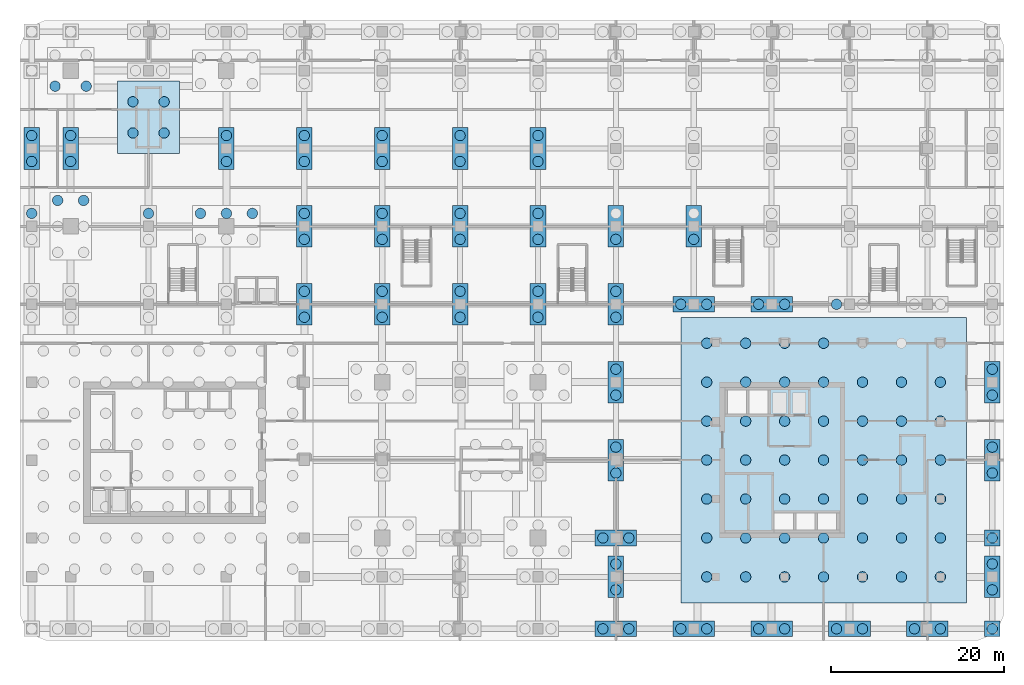
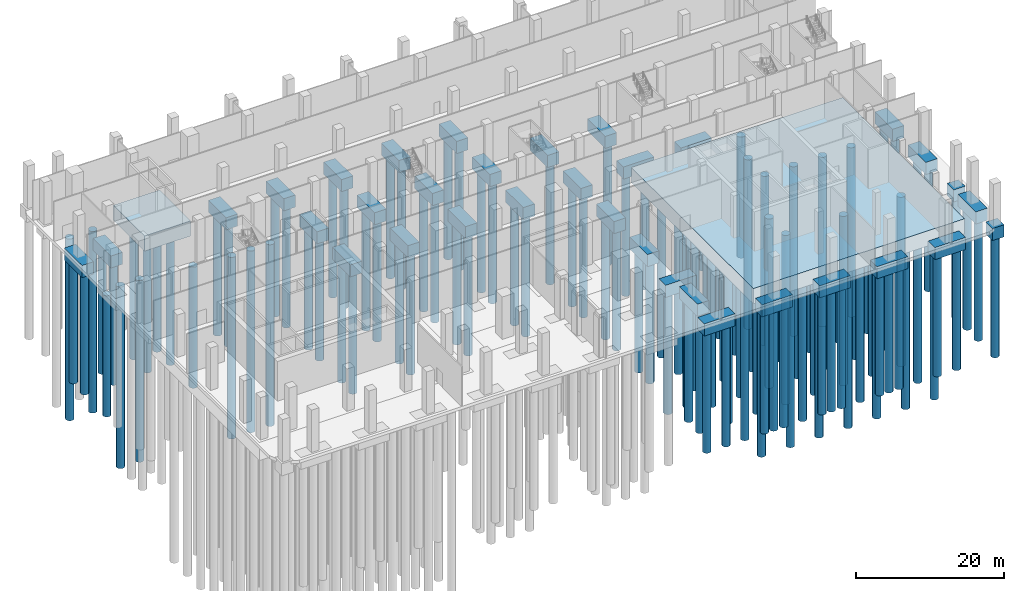
# One storey, part 2 of 23: 124 piles, 36 footings.
"""IFC4 building model written with IfcOpenShell, lengths in metres."""

from ifc_helpers import new_model, si_unit, direction, frame, origin, origin_2d, place, context, subcontext, project, spatial, polyline, circle, outline, extrude, material, layer, layer_set, material_profile, profile_set, type_object, element, save


model = new_model("IFC4")

# Units and contexts
model_context = context("Model", 3, precision=1e-05, world=origin(), true_north=direction((0.0, 1.0)))
body_context = subcontext(model_context, "Body", "Model", "MODEL_VIEW")
ifc_project = project(units=[si_unit("LENGTHUNIT", "METRE"), si_unit("AREAUNIT", "SQUARE_METRE"), si_unit("VOLUMEUNIT", "CUBIC_METRE"), si_unit("PLANEANGLEUNIT", "RADIAN"), si_unit("MASSUNIT", "GRAM", prefix="KILO")], contexts=[model_context])

# Site, building, storey
site_placement = place(None, origin())
site = spatial("IfcSite", under=ifc_project, at=site_placement, CompositionType="ELEMENT")
building_placement = place(site_placement, origin())
building = spatial("IfcBuilding", under=site, at=building_placement, Name="Plateau Cross Towers", CompositionType="ELEMENT")
storey_placement = place(building_placement, frame((0.0, 0.0, -7.0)))
storey = spatial("IfcBuildingStorey", under=building, at=storey_placement, Name="B1", CompositionType="ELEMENT", Elevation=-7.0)

# Piles
ifc_material = material(Name="Concrete C40/50", Category="concrete")
ifc_material_profile = material_profile(ifc_material, circle(Radius=0.60009765625, at=origin_2d()), Name="Bored pile D1200")
ifc_profile_set = profile_set([ifc_material_profile], Name="Concrete C40/50")
pile_type = type_object("IfcPileType", Name="Bored pile D1200", PredefinedType="BORED", material=ifc_profile_set)
for number, where, z_axis, x_axis, name in (
    (1, (73.5, -4.5, -2.300048828125), (0.0, 0.0, -1.0), (1.0, 0.0, 0.0), "RAFT-B pile 1"),
    (2, (73.5, 0.0, -2.300048828125), (0.0, 0.0, -1.0), (1.0, 0.0, 0.0), "RAFT-B pile 2"),
    (3, (73.5, 4.5, -2.300048828125), (0.0, 0.0, -1.0), (1.0, 0.0, 0.0), "RAFT-B pile 3"),
    (4, (73.5, 9.0, -2.300048828125), (0.0, 0.0, -1.0), (1.0, 0.0, 0.0), "RAFT-B pile 4"),
    (5, (73.5, 13.5, -2.300048828125), (0.0, 0.0, -1.0), (1.0, 0.0, 0.0), "RAFT-B pile 5"),
    (6, (73.5, 18.0, -2.300048828125), (0.0, 0.0, -1.0), (1.0, 0.0, 0.0), "RAFT-B pile 6"),
    (7, (73.5, 22.5, -2.300048828125), (0.0, 0.0, -1.0), (1.0, 0.0, 0.0), "RAFT-B pile 7"),
    (8, (78.0, -4.5, -2.300048828125), (0.0, 0.0, -1.0), (1.0, 0.0, 0.0), "RAFT-B pile 8"),
    (9, (78.0, 0.0, -2.300048828125), (0.0, 0.0, -1.0), (1.0, 0.0, 0.0), "RAFT-B pile 9"),
    (10, (78.0, 4.5, -2.300048828125), (0.0, 0.0, -1.0), (1.0, 0.0, 0.0), "RAFT-B pile 10"),
    (11, (78.0, 9.0, -2.300048828125), (0.0, 0.0, -1.0), (1.0, 0.0, 0.0), "RAFT-B pile 11"),
    (12, (78.0, 13.5, -2.300048828125), (0.0, 0.0, -1.0), (1.0, 0.0, 0.0), "RAFT-B pile 12"),
    (13, (78.0, 18.0, -2.300048828125), (0.0, 0.0, -1.0), (1.0, 0.0, 0.0), "RAFT-B pile 13"),
    (14, (78.0, 22.5, -2.300048828125), (0.0, 0.0, -1.0), (1.0, 0.0, 0.0), "RAFT-B pile 14"),
    (15, (82.5, -4.5, -2.300048828125), (0.0, 0.0, -1.0), (1.0, 0.0, 0.0), "RAFT-B pile 15"),
    (16, (82.5, 0.0, -2.300048828125), (0.0, 0.0, -1.0), (1.0, 0.0, 0.0), "RAFT-B pile 16"),
    (17, (82.5, 4.5, -2.300048828125), (0.0, 0.0, -1.0), (1.0, 0.0, 0.0), "RAFT-B pile 17"),
    (18, (82.5, 9.0, -2.300048828125), (0.0, 0.0, -1.0), (1.0, 0.0, 0.0), "RAFT-B pile 18"),
    (19, (82.5, 13.5, -2.300048828125), (0.0, 0.0, -1.0), (1.0, 0.0, 0.0), "RAFT-B pile 19"),
    (20, (82.5, 18.0, -2.300048828125), (0.0, 0.0, -1.0), (1.0, 0.0, 0.0), "RAFT-B pile 20"),
    (21, (82.5, 22.5, -2.300048828125), (0.0, 0.0, -1.0), (1.0, 0.0, 0.0), "RAFT-B pile 21"),
    (22, (87.0, -4.5, -2.300048828125), (0.0, 0.0, -1.0), (1.0, 0.0, 0.0), "RAFT-B pile 22"),
    (23, (87.0, 0.0, -2.300048828125), (0.0, 0.0, -1.0), (1.0, 0.0, 0.0), "RAFT-B pile 23"),
    (24, (87.0, 4.5, -2.300048828125), (0.0, 0.0, -1.0), (1.0, 0.0, 0.0), "RAFT-B pile 24"),
    (25, (87.0, 9.0, -2.300048828125), (0.0, 0.0, -1.0), (1.0, 0.0, 0.0), "RAFT-B pile 25"),
    (26, (87.0, 13.5, -2.300048828125), (0.0, 0.0, -1.0), (1.0, 0.0, 0.0), "RAFT-B pile 26"),
    (27, (87.0, 18.0, -2.300048828125), (0.0, 0.0, -1.0), (1.0, 0.0, 0.0), "RAFT-B pile 27"),
    (28, (87.0, 22.5, -2.300048828125), (0.0, 0.0, -1.0), (1.0, 0.0, 0.0), "RAFT-B pile 28"),
    (29, (91.5, -4.5, -2.300048828125), (0.0, 0.0, -1.0), (1.0, 0.0, 0.0), "RAFT-B pile 29"),
    (30, (91.5, 0.0, -2.300048828125), (0.0, 0.0, -1.0), (1.0, 0.0, 0.0), "RAFT-B pile 30"),
    (31, (91.5, 4.5, -2.300048828125), (0.0, 0.0, -1.0), (1.0, 0.0, 0.0), "RAFT-B pile 31"),
    (32, (91.5, 9.0, -2.300048828125), (0.0, 0.0, -1.0), (1.0, 0.0, 0.0), "RAFT-B pile 32"),
    (33, (91.5, 13.5, -2.300048828125), (0.0, 0.0, -1.0), (1.0, 0.0, 0.0), "RAFT-B pile 33"),
    (34, (91.5, 18.0, -2.300048828125), (0.0, 0.0, -1.0), (1.0, 0.0, 0.0), "RAFT-B pile 34"),
    (35, (96.0, -4.5, -2.300048828125), (0.0, 0.0, -1.0), (1.0, 0.0, 0.0), "RAFT-B pile 36"),
    (36, (96.0, 0.0, -2.300048828125), (0.0, 0.0, -1.0), (1.0, 0.0, 0.0), "RAFT-B pile 37"),
    (37, (96.0, 4.5, -2.300048828125), (0.0, 0.0, -1.0), (1.0, 0.0, 0.0), "RAFT-B pile 38"),
    (38, (96.0, 9.0, -2.300048828125), (0.0, 0.0, -1.0), (1.0, 0.0, 0.0), "RAFT-B pile 39"),
    (39, (96.0, 13.5, -2.300048828125), (0.0, 0.0, -1.0), (1.0, 0.0, 0.0), "RAFT-B pile 40"),
    (40, (96.0, 18.0, -2.300048828125), (0.0, 0.0, -1.0), (1.0, 0.0, 0.0), "RAFT-B pile 41"),
    (41, (100.5, -4.5, -2.300048828125), (0.0, 0.0, -1.0), (1.0, 0.0, 0.0), "RAFT-B pile 43"),
    (42, (100.5, 0.0, -2.300048828125), (0.0, 0.0, -1.0), (1.0, 0.0, 0.0), "RAFT-B pile 44"),
    (43, (100.5, 4.5, -2.300048828125), (0.0, 0.0, -1.0), (1.0, 0.0, 0.0), "RAFT-B pile 45"),
    (44, (100.5, 9.0, -2.300048828125), (0.0, 0.0, -1.0), (1.0, 0.0, 0.0), "RAFT-B pile 46"),
    (45, (100.5, 13.5, -2.300048828125), (0.0, 0.0, -1.0), (1.0, 0.0, 0.0), "RAFT-B pile 47"),
    (46, (100.5, 18.0, -2.300048828125), (0.0, 0.0, -1.0), (1.0, 0.0, 0.0), "RAFT-B pile 48"),
):
    element("IfcPile", number, at=place(storey_placement, frame(where, z_axis=z_axis, x_axis=x_axis)), inside=storey, type_object=pile_type, Name=name, PredefinedType="BORED", context=body_context, shape_type="SweptSolid", body=[
        extrude(circle(Radius=0.60009765625, at=origin_2d()), origin(), (0.0, 0.0, 1.0), 28.0),
    ])
for number, where, z_axis, x_axis, name in (
    (47, (7.199951171875, 46.800048828125, -2.300048828125), (0.0, 0.0, -1.0), (1.0, 0.0, 0.0), "CAP-A-end-N pile 1"),
    (48, (10.800048828125, 46.800048828125, -2.300048828125), (0.0, 0.0, -1.0), (1.0, 0.0, 0.0), "CAP-A-end-N pile 2"),
    (49, (7.199951171875, 50.39990234375, -2.300048828125), (0.0, 0.0, -1.0), (1.0, 0.0, 0.0), "CAP-A-end-N pile 3"),
    (50, (10.800048828125, 50.39990234375, -2.300048828125), (0.0, 0.0, -1.0), (1.0, 0.0, 0.0), "CAP-A-end-N pile 4"),
):
    element("IfcPile", number, at=place(storey_placement, frame(where, z_axis=z_axis, x_axis=x_axis)), inside=storey, type_object=pile_type, Name=name, PredefinedType="BORED", context=body_context, shape_type="SweptSolid", body=[
        extrude(circle(Radius=0.60009765625, at=origin_2d()), origin(), (0.0, 0.0, 1.0), 22.0),
    ])
for number, where, z_axis, x_axis, name in (
    (51, (-1.5, 39.0, -2.300048828125), (0.0, 0.0, -1.0), (1.0, 0.0, 0.0), "CAP-P-C0_360 pile 3"),
    (52, (1.5, 39.0, -2.300048828125), (0.0, 0.0, -1.0), (1.0, 0.0, 0.0), "CAP-P-C0_360 pile 6"),
    (53, (-1.800048828125, 52.199951171875, -2.300048828125), (0.0, 0.0, -1.0), (1.0, 0.0, 0.0), "CAP-P-C0_540 pile 1"),
    (54, (1.800048828125, 52.199951171875, -2.300048828125), (0.0, 0.0, -1.0), (1.0, 0.0, 0.0), "CAP-P-C0_540 pile 3"),
    (55, (15.0, 37.5, -2.300048828125), (0.0, 0.0, -1.0), (1.0, 0.0, 0.0), "CAP-P-C180_360 pile 2"),
    (56, (18.0, 37.5, -2.300048828125), (0.0, 0.0, -1.0), (1.0, 0.0, 0.0), "CAP-P-C180_360 pile 4"),
    (57, (21.0, 37.5, -2.300048828125), (0.0, 0.0, -1.0), (1.0, 0.0, 0.0), "CAP-P-C180_360 pile 6"),
):
    element("IfcPile", number, at=place(storey_placement, frame(where, z_axis=z_axis, x_axis=x_axis)), inside=storey, type_object=pile_type, Name=name, PredefinedType="BORED", context=body_context, shape_type="SweptSolid", body=[
        extrude(circle(Radius=0.60009765625, at=origin_2d()), origin(), (0.0, 0.0, 1.0), 30.0),
    ])
for number, where, z_axis, x_axis, name in (
    (58, (-4.5, 37.5, -1.800048828125), (0.0, 0.0, -1.0), (1.0, 0.0, 0.0), "CAP-P-C-45_360 pile 2"),
    (59, (-4.5, 43.5, -1.800048828125), (0.0, 0.0, -1.0), (1.0, 0.0, 0.0), "CAP-P-C-45_450 pile 1"),
    (60, (-4.5, 46.5, -1.800048828125), (0.0, 0.0, -1.0), (1.0, 0.0, 0.0), "CAP-P-C-45_450 pile 2"),
    (61, (0.0, 43.5, -1.800048828125), (0.0, 0.0, -1.0), (1.0, 0.0, 0.0), "CAP-P-C0_450 pile 1"),
    (62, (0.0, 46.5, -1.800048828125), (0.0, 0.0, -1.0), (1.0, 0.0, 0.0), "CAP-P-C0_450 pile 2"),
    (63, (9.0, 37.5, -1.800048828125), (0.0, 0.0, -1.0), (1.0, 0.0, 0.0), "CAP-P-C90_360 pile 2"),
    (64, (18.0, 43.5, -1.800048828125), (0.0, 0.0, -1.0), (1.0, 0.0, 0.0), "CAP-P-C180_450 pile 1"),
    (65, (18.0, 46.5, -1.800048828125), (0.0, 0.0, -1.0), (1.0, 0.0, 0.0), "CAP-P-C180_450 pile 2"),
    (66, (27.0, 25.5, -1.800048828125), (0.0, 0.0, -1.0), (1.0, 0.0, 0.0), "CAP-P-C270_270 pile 1"),
    (67, (27.0, 28.5, -1.800048828125), (0.0, 0.0, -1.0), (1.0, 0.0, 0.0), "CAP-P-C270_270 pile 2"),
    (68, (27.0, 34.5, -1.800048828125), (0.0, 0.0, -1.0), (1.0, 0.0, 0.0), "CAP-P-C270_360 pile 1"),
    (69, (27.0, 37.5, -1.800048828125), (0.0, 0.0, -1.0), (1.0, 0.0, 0.0), "CAP-P-C270_360 pile 2"),
    (70, (27.0, 43.5, -1.800048828125), (0.0, 0.0, -1.0), (1.0, 0.0, 0.0), "CAP-P-C270_450 pile 1"),
    (71, (27.0, 46.5, -1.800048828125), (0.0, 0.0, -1.0), (1.0, 0.0, 0.0), "CAP-P-C270_450 pile 2"),
    (72, (36.0, 25.5, -1.800048828125), (0.0, 0.0, -1.0), (1.0, 0.0, 0.0), "CAP-P-C360_270 pile 1"),
    (73, (36.0, 28.5, -1.800048828125), (0.0, 0.0, -1.0), (1.0, 0.0, 0.0), "CAP-P-C360_270 pile 2"),
    (74, (36.0, 34.5, -1.800048828125), (0.0, 0.0, -1.0), (1.0, 0.0, 0.0), "CAP-P-C360_360 pile 1"),
    (75, (36.0, 37.5, -1.800048828125), (0.0, 0.0, -1.0), (1.0, 0.0, 0.0), "CAP-P-C360_360 pile 2"),
    (76, (36.0, 43.5, -1.800048828125), (0.0, 0.0, -1.0), (1.0, 0.0, 0.0), "CAP-P-C360_450 pile 1"),
    (77, (36.0, 46.5, -1.800048828125), (0.0, 0.0, -1.0), (1.0, 0.0, 0.0), "CAP-P-C360_450 pile 2"),
    (78, (45.0, 25.5, -1.800048828125), (0.0, 0.0, -1.0), (1.0, 0.0, 0.0), "CAP-P-C450_270 pile 1"),
    (79, (45.0, 28.5, -1.800048828125), (0.0, 0.0, -1.0), (1.0, 0.0, 0.0), "CAP-P-C450_270 pile 2"),
    (80, (45.0, 34.5, -1.800048828125), (0.0, 0.0, -1.0), (1.0, 0.0, 0.0), "CAP-P-C450_360 pile 1"),
    (81, (45.0, 37.5, -1.800048828125), (0.0, 0.0, -1.0), (1.0, 0.0, 0.0), "CAP-P-C450_360 pile 2"),
    (82, (45.0, 43.5, -1.800048828125), (0.0, 0.0, -1.0), (1.0, 0.0, 0.0), "CAP-P-C450_450 pile 1"),
    (83, (45.0, 46.5, -1.800048828125), (0.0, 0.0, -1.0), (1.0, 0.0, 0.0), "CAP-P-C450_450 pile 2"),
    (84, (54.0, 25.5, -1.800048828125), (0.0, 0.0, -1.0), (1.0, 0.0, 0.0), "CAP-P-C540_270 pile 1"),
    (85, (54.0, 28.5, -1.800048828125), (0.0, 0.0, -1.0), (1.0, 0.0, 0.0), "CAP-P-C540_270 pile 2"),
    (86, (54.0, 34.5, -1.800048828125), (0.0, 0.0, -1.0), (1.0, 0.0, 0.0), "CAP-P-C540_360 pile 1"),
    (87, (54.0, 37.5, -1.800048828125), (0.0, 0.0, -1.0), (1.0, 0.0, 0.0), "CAP-P-C540_360 pile 2"),
    (88, (54.0, 43.5, -1.800048828125), (0.0, 0.0, -1.0), (1.0, 0.0, 0.0), "CAP-P-C540_450 pile 1"),
    (89, (54.0, 46.5, -1.800048828125), (0.0, 0.0, -1.0), (1.0, 0.0, 0.0), "CAP-P-C540_450 pile 2"),
    (90, (61.5, -10.5, -1.800048828125), (0.0, 0.0, -1.0), (1.0, 0.0, 0.0), "CAP-P-C630_-105 pile 1"),
    (91, (64.5, -10.5, -1.800048828125), (0.0, 0.0, -1.0), (1.0, 0.0, 0.0), "CAP-P-C630_-105 pile 2"),
    (92, (63.0, -6.0, -1.800048828125), (0.0, 0.0, -1.0), (1.0, 0.0, 0.0), "CAP-P-C630_-45 pile 1"),
    (93, (63.0, -3.0, -1.800048828125), (0.0, 0.0, -1.0), (1.0, 0.0, 0.0), "CAP-P-C630_-45 pile 2"),
    (94, (61.5, 0.0, -1.800048828125), (0.0, 0.0, -1.0), (1.0, 0.0, 0.0), "CAP-P-C630_0 pile 1"),
    (95, (64.5, 0.0, -1.800048828125), (0.0, 0.0, -1.0), (1.0, 0.0, 0.0), "CAP-P-C630_0 pile 2"),
    (96, (63.0, 7.5, -1.800048828125), (0.0, 0.0, -1.0), (1.0, 0.0, 0.0), "CAP-P-C630_90 pile 1"),
    (97, (63.0, 10.5, -1.800048828125), (0.0, 0.0, -1.0), (1.0, 0.0, 0.0), "CAP-P-C630_90 pile 2"),
    (98, (63.0, 16.5, -1.800048828125), (0.0, 0.0, -1.0), (1.0, 0.0, 0.0), "CAP-P-C630_180 pile 1"),
    (99, (63.0, 19.5, -1.800048828125), (0.0, 0.0, -1.0), (1.0, 0.0, 0.0), "CAP-P-C630_180 pile 2"),
    (100, (63.0, 25.5, -1.800048828125), (0.0, 0.0, -1.0), (1.0, 0.0, 0.0), "CAP-P-C630_270 pile 1"),
    (101, (63.0, 28.5, -1.800048828125), (0.0, 0.0, -1.0), (1.0, 0.0, 0.0), "CAP-P-C630_270 pile 2"),
    (102, (63.0, 34.5, -1.800048828125), (0.0, 0.0, -1.0), (1.0, 0.0, 0.0), "CAP-P-C630_360 pile 1"),
    (103, (70.5, -10.5, -1.800048828125), (0.0, 0.0, -1.0), (1.0, 0.0, 0.0), "CAP-P-C720_-105 pile 1"),
    (104, (73.5, -10.5, -1.800048828125), (0.0, 0.0, -1.0), (1.0, 0.0, 0.0), "CAP-P-C720_-105 pile 2"),
    (105, (70.5, 27.0, -1.800048828125), (0.0, 0.0, -1.0), (1.0, 0.0, 0.0), "CAP-P-C720_270 pile 1"),
    (106, (73.5, 27.0, -1.800048828125), (0.0, 0.0, -1.0), (1.0, 0.0, 0.0), "CAP-P-C720_270 pile 2"),
    (107, (72.0, 34.5, -1.800048828125), (0.0, 0.0, -1.0), (1.0, 0.0, 0.0), "CAP-P-C720_360 pile 1"),
    (108, (79.5, -10.5, -1.800048828125), (0.0, 0.0, -1.0), (1.0, 0.0, 0.0), "CAP-P-C810_-105 pile 1"),
    (109, (82.5, -10.5, -1.800048828125), (0.0, 0.0, -1.0), (1.0, 0.0, 0.0), "CAP-P-C810_-105 pile 2"),
    (110, (79.5, 27.0, -1.800048828125), (0.0, 0.0, -1.0), (1.0, 0.0, 0.0), "CAP-P-C810_270 pile 1"),
    (111, (82.5, 27.0, -1.800048828125), (0.0, 0.0, -1.0), (1.0, 0.0, 0.0), "CAP-P-C810_270 pile 2"),
    (112, (88.5, -10.5, -1.800048828125), (0.0, 0.0, -1.0), (1.0, 0.0, 0.0), "CAP-P-C900_-105 pile 1"),
    (113, (91.5, -10.5, -1.800048828125), (0.0, 0.0, -1.0), (1.0, 0.0, 0.0), "CAP-P-C900_-105 pile 2"),
    (114, (88.5, 27.0, -1.800048828125), (0.0, 0.0, -1.0), (1.0, 0.0, 0.0), "CAP-P-C900_270 pile 1"),
    (115, (97.5, -10.5, -1.800048828125), (0.0, 0.0, -1.0), (1.0, 0.0, 0.0), "CAP-P-C990_-105 pile 1"),
    (116, (100.5, -10.5, -1.800048828125), (0.0, 0.0, -1.0), (1.0, 0.0, 0.0), "CAP-P-C990_-105 pile 2"),
    (117, (106.5, -10.5, -1.800048828125), (0.0, 0.0, -1.0), (1.0, 0.0, 0.0), "CAP-P-C1065_-105 pile 1"),
    (118, (106.5, -6.0, -1.800048828125), (0.0, 0.0, -1.0), (1.0, 0.0, 0.0), "CAP-P-C1065_-45 pile 1"),
    (119, (106.5, -3.0, -1.800048828125), (0.0, 0.0, -1.0), (1.0, 0.0, 0.0), "CAP-P-C1065_-45 pile 2"),
    (120, (106.5, 0.0, -1.800048828125), (0.0, 0.0, -1.0), (1.0, 0.0, 0.0), "CAP-P-C1065_0 pile 1"),
    (121, (106.5, 7.5, -1.800048828125), (0.0, 0.0, -1.0), (1.0, 0.0, 0.0), "CAP-P-C1065_90 pile 1"),
    (122, (106.5, 10.5, -1.800048828125), (0.0, 0.0, -1.0), (1.0, 0.0, 0.0), "CAP-P-C1065_90 pile 2"),
    (123, (106.5, 16.5, -1.800048828125), (0.0, 0.0, -1.0), (1.0, 0.0, 0.0), "CAP-P-C1065_180 pile 1"),
    (124, (106.5, 19.5, -1.800048828125), (0.0, 0.0, -1.0), (1.0, 0.0, 0.0), "CAP-P-C1065_180 pile 2"),
):
    element("IfcPile", number, at=place(storey_placement, frame(where, z_axis=z_axis, x_axis=x_axis)), inside=storey, type_object=pile_type, Name=name, PredefinedType="BORED", context=body_context, shape_type="SweptSolid", body=[
        extrude(circle(Radius=0.60009765625, at=origin_2d()), origin(), (0.0, 0.0, 1.0), 20.0),
    ])

# Footings
ifc_layer = layer(ifc_material, 2.5)
ifc_layer_set = layer_set([ifc_layer], Name="Concrete C40/50")
footing_type_1 = type_object("IfcFootingType", Name="Core raft tower B 2500", PredefinedType="PAD_FOOTING", material=ifc_layer_set)
footing_1_placement = place(storey_placement, frame((0.0, 0.0, -2.5)))
element("IfcFooting", 125, at=footing_1_placement, inside=storey, type_object=footing_type_1, Name="RAFT-B", PredefinedType="PAD_FOOTING", context=body_context, shape_type="SweptSolid", body=[
    extrude(outline(polyline([(103.5, -7.5), (103.5, 25.5), (70.5, 25.5), (70.5, -7.5), (103.5, -7.5)])), origin(), (0.0, 0.0, 1.0), 2.5),
])
footing_type_2 = type_object("IfcFootingType", Name="Pile cap 1800x1800x2000", PredefinedType="PILE_CAP", material=ifc_material)
footing_2_placement = place(storey_placement, frame((0.0, 0.0, -2.0)))
element("IfcFooting", 126, at=footing_2_placement, inside=storey, type_object=footing_type_2, Name="CAP-P-C1065_-105", PredefinedType="PILE_CAP", context=body_context, shape_type="SweptSolid", body=[
    extrude(outline(polyline([(107.39990234375, -11.39990234375), (107.39990234375, -9.60009765625), (105.60009765625, -9.60009765625), (105.60009765625, -11.39990234375), (107.39990234375, -11.39990234375)])), origin(), (0.0, 0.0, 1.0), 2.0),
])
footing_3_placement = place(storey_placement, frame((0.0, 0.0, -2.0)))
element("IfcFooting", 127, at=footing_3_placement, inside=storey, type_object=footing_type_2, Name="CAP-P-C1065_0", PredefinedType="PILE_CAP", context=body_context, shape_type="SweptSolid", body=[
    extrude(outline(polyline([(107.39990234375, -0.89990234375), (107.39990234375, 0.89990234375), (105.60009765625, 0.89990234375), (105.60009765625, -0.89990234375), (107.39990234375, -0.89990234375)])), origin(), (0.0, 0.0, 1.0), 2.0),
])
footing_type_3 = type_object("IfcFootingType", Name="Pile cap 1800x4800x2000", PredefinedType="PILE_CAP", material=ifc_material)
footing_4_placement = place(storey_placement, frame((0.0, 0.0, -2.0)))
element("IfcFooting", 128, at=footing_4_placement, inside=storey, type_object=footing_type_3, Name="CAP-P-C-45_450", PredefinedType="PILE_CAP", context=body_context, shape_type="SweptSolid", body=[
    extrude(outline(polyline([(-3.60009765625, 42.60009765625), (-3.60009765625, 47.39990234375), (-5.39990234375, 47.39990234375), (-5.39990234375, 42.60009765625), (-3.60009765625, 42.60009765625)])), origin(), (0.0, 0.0, 1.0), 2.0),
])
footing_5_placement = place(storey_placement, frame((0.0, 0.0, -2.0)))
element("IfcFooting", 129, at=footing_5_placement, inside=storey, type_object=footing_type_3, Name="CAP-P-C0_450", PredefinedType="PILE_CAP", context=body_context, shape_type="SweptSolid", body=[
    extrude(outline(polyline([(0.89990234375, 42.60009765625), (0.89990234375, 47.39990234375), (-0.89990234375, 47.39990234375), (-0.89990234375, 42.60009765625), (0.89990234375, 42.60009765625)])), origin(), (0.0, 0.0, 1.0), 2.0),
])
footing_6_placement = place(storey_placement, frame((0.0, 0.0, -2.0)))
element("IfcFooting", 130, at=footing_6_placement, inside=storey, type_object=footing_type_3, Name="CAP-P-C180_450", PredefinedType="PILE_CAP", context=body_context, shape_type="SweptSolid", body=[
    extrude(outline(polyline([(18.89990234375, 42.60009765625), (18.89990234375, 47.39990234375), (17.10009765625, 47.39990234375), (17.10009765625, 42.60009765625), (18.89990234375, 42.60009765625)])), origin(), (0.0, 0.0, 1.0), 2.0),
])
footing_7_placement = place(storey_placement, frame((0.0, 0.0, -2.0)))
element("IfcFooting", 131, at=footing_7_placement, inside=storey, type_object=footing_type_3, Name="CAP-P-C270_270", PredefinedType="PILE_CAP", context=body_context, shape_type="SweptSolid", body=[
    extrude(outline(polyline([(27.89990234375, 24.60009765625), (27.89990234375, 29.39990234375), (26.10009765625, 29.39990234375), (26.10009765625, 24.60009765625), (27.89990234375, 24.60009765625)])), origin(), (0.0, 0.0, 1.0), 2.0),
])
footing_8_placement = place(storey_placement, frame((0.0, 0.0, -2.0)))
element("IfcFooting", 132, at=footing_8_placement, inside=storey, type_object=footing_type_3, Name="CAP-P-C270_360", PredefinedType="PILE_CAP", context=body_context, shape_type="SweptSolid", body=[
    extrude(outline(polyline([(27.89990234375, 33.60009765625), (27.89990234375, 38.39990234375), (26.10009765625, 38.39990234375), (26.10009765625, 33.60009765625), (27.89990234375, 33.60009765625)])), origin(), (0.0, 0.0, 1.0), 2.0),
])
footing_9_placement = place(storey_placement, frame((0.0, 0.0, -2.0)))
element("IfcFooting", 133, at=footing_9_placement, inside=storey, type_object=footing_type_3, Name="CAP-P-C270_450", PredefinedType="PILE_CAP", context=body_context, shape_type="SweptSolid", body=[
    extrude(outline(polyline([(27.89990234375, 42.60009765625), (27.89990234375, 47.39990234375), (26.10009765625, 47.39990234375), (26.10009765625, 42.60009765625), (27.89990234375, 42.60009765625)])), origin(), (0.0, 0.0, 1.0), 2.0),
])
footing_10_placement = place(storey_placement, frame((0.0, 0.0, -2.0)))
element("IfcFooting", 134, at=footing_10_placement, inside=storey, type_object=footing_type_3, Name="CAP-P-C360_270", PredefinedType="PILE_CAP", context=body_context, shape_type="SweptSolid", body=[
    extrude(outline(polyline([(36.89990234375, 24.60009765625), (36.89990234375, 29.39990234375), (35.10009765625, 29.39990234375), (35.10009765625, 24.60009765625), (36.89990234375, 24.60009765625)])), origin(), (0.0, 0.0, 1.0), 2.0),
])
footing_11_placement = place(storey_placement, frame((0.0, 0.0, -2.0)))
element("IfcFooting", 135, at=footing_11_placement, inside=storey, type_object=footing_type_3, Name="CAP-P-C360_360", PredefinedType="PILE_CAP", context=body_context, shape_type="SweptSolid", body=[
    extrude(outline(polyline([(36.89990234375, 33.60009765625), (36.89990234375, 38.39990234375), (35.10009765625, 38.39990234375), (35.10009765625, 33.60009765625), (36.89990234375, 33.60009765625)])), origin(), (0.0, 0.0, 1.0), 2.0),
])
footing_12_placement = place(storey_placement, frame((0.0, 0.0, -2.0)))
element("IfcFooting", 136, at=footing_12_placement, inside=storey, type_object=footing_type_3, Name="CAP-P-C360_450", PredefinedType="PILE_CAP", context=body_context, shape_type="SweptSolid", body=[
    extrude(outline(polyline([(36.89990234375, 42.60009765625), (36.89990234375, 47.39990234375), (35.10009765625, 47.39990234375), (35.10009765625, 42.60009765625), (36.89990234375, 42.60009765625)])), origin(), (0.0, 0.0, 1.0), 2.0),
])
footing_13_placement = place(storey_placement, frame((0.0, 0.0, -2.0)))
element("IfcFooting", 137, at=footing_13_placement, inside=storey, type_object=footing_type_3, Name="CAP-P-C450_270", PredefinedType="PILE_CAP", context=body_context, shape_type="SweptSolid", body=[
    extrude(outline(polyline([(45.89990234375, 24.60009765625), (45.89990234375, 29.39990234375), (44.10009765625, 29.39990234375), (44.10009765625, 24.60009765625), (45.89990234375, 24.60009765625)])), origin(), (0.0, 0.0, 1.0), 2.0),
])
footing_14_placement = place(storey_placement, frame((0.0, 0.0, -2.0)))
element("IfcFooting", 138, at=footing_14_placement, inside=storey, type_object=footing_type_3, Name="CAP-P-C450_360", PredefinedType="PILE_CAP", context=body_context, shape_type="SweptSolid", body=[
    extrude(outline(polyline([(45.89990234375, 33.60009765625), (45.89990234375, 38.39990234375), (44.10009765625, 38.39990234375), (44.10009765625, 33.60009765625), (45.89990234375, 33.60009765625)])), origin(), (0.0, 0.0, 1.0), 2.0),
])
footing_15_placement = place(storey_placement, frame((0.0, 0.0, -2.0)))
element("IfcFooting", 139, at=footing_15_placement, inside=storey, type_object=footing_type_3, Name="CAP-P-C450_450", PredefinedType="PILE_CAP", context=body_context, shape_type="SweptSolid", body=[
    extrude(outline(polyline([(45.89990234375, 42.60009765625), (45.89990234375, 47.39990234375), (44.10009765625, 47.39990234375), (44.10009765625, 42.60009765625), (45.89990234375, 42.60009765625)])), origin(), (0.0, 0.0, 1.0), 2.0),
])
footing_16_placement = place(storey_placement, frame((0.0, 0.0, -2.0)))
element("IfcFooting", 140, at=footing_16_placement, inside=storey, type_object=footing_type_3, Name="CAP-P-C540_270", PredefinedType="PILE_CAP", context=body_context, shape_type="SweptSolid", body=[
    extrude(outline(polyline([(54.89990234375, 24.60009765625), (54.89990234375, 29.39990234375), (53.10009765625, 29.39990234375), (53.10009765625, 24.60009765625), (54.89990234375, 24.60009765625)])), origin(), (0.0, 0.0, 1.0), 2.0),
])
footing_17_placement = place(storey_placement, frame((0.0, 0.0, -2.0)))
element("IfcFooting", 141, at=footing_17_placement, inside=storey, type_object=footing_type_3, Name="CAP-P-C540_360", PredefinedType="PILE_CAP", context=body_context, shape_type="SweptSolid", body=[
    extrude(outline(polyline([(54.89990234375, 33.60009765625), (54.89990234375, 38.39990234375), (53.10009765625, 38.39990234375), (53.10009765625, 33.60009765625), (54.89990234375, 33.60009765625)])), origin(), (0.0, 0.0, 1.0), 2.0),
])
footing_18_placement = place(storey_placement, frame((0.0, 0.0, -2.0)))
element("IfcFooting", 142, at=footing_18_placement, inside=storey, type_object=footing_type_3, Name="CAP-P-C540_450", PredefinedType="PILE_CAP", context=body_context, shape_type="SweptSolid", body=[
    extrude(outline(polyline([(54.89990234375, 42.60009765625), (54.89990234375, 47.39990234375), (53.10009765625, 47.39990234375), (53.10009765625, 42.60009765625), (54.89990234375, 42.60009765625)])), origin(), (0.0, 0.0, 1.0), 2.0),
])
footing_19_placement = place(storey_placement, frame((0.0, 0.0, -2.0)))
element("IfcFooting", 143, at=footing_19_placement, inside=storey, type_object=footing_type_3, Name="CAP-P-C630_-45", PredefinedType="PILE_CAP", context=body_context, shape_type="SweptSolid", body=[
    extrude(outline(polyline([(63.89990234375, -6.89990234375), (63.89990234375, -2.10009765625), (62.10009765625, -2.10009765625), (62.10009765625, -6.89990234375), (63.89990234375, -6.89990234375)])), origin(), (0.0, 0.0, 1.0), 2.0),
])
footing_20_placement = place(storey_placement, frame((0.0, 0.0, -2.0)))
element("IfcFooting", 144, at=footing_20_placement, inside=storey, type_object=footing_type_3, Name="CAP-P-C630_90", PredefinedType="PILE_CAP", context=body_context, shape_type="SweptSolid", body=[
    extrude(outline(polyline([(63.89990234375, 6.60009765625), (63.89990234375, 11.39990234375), (62.10009765625, 11.39990234375), (62.10009765625, 6.60009765625), (63.89990234375, 6.60009765625)])), origin(), (0.0, 0.0, 1.0), 2.0),
])
footing_21_placement = place(storey_placement, frame((0.0, 0.0, -2.0)))
element("IfcFooting", 145, at=footing_21_placement, inside=storey, type_object=footing_type_3, Name="CAP-P-C630_180", PredefinedType="PILE_CAP", context=body_context, shape_type="SweptSolid", body=[
    extrude(outline(polyline([(63.89990234375, 15.60009765625), (63.89990234375, 20.39990234375), (62.10009765625, 20.39990234375), (62.10009765625, 15.60009765625), (63.89990234375, 15.60009765625)])), origin(), (0.0, 0.0, 1.0), 2.0),
])
footing_22_placement = place(storey_placement, frame((0.0, 0.0, -2.0)))
element("IfcFooting", 146, at=footing_22_placement, inside=storey, type_object=footing_type_3, Name="CAP-P-C630_270", PredefinedType="PILE_CAP", context=body_context, shape_type="SweptSolid", body=[
    extrude(outline(polyline([(63.89990234375, 24.60009765625), (63.89990234375, 29.39990234375), (62.10009765625, 29.39990234375), (62.10009765625, 24.60009765625), (63.89990234375, 24.60009765625)])), origin(), (0.0, 0.0, 1.0), 2.0),
])
footing_23_placement = place(storey_placement, frame((0.0, 0.0, -2.0)))
element("IfcFooting", 147, at=footing_23_placement, inside=storey, type_object=footing_type_3, Name="CAP-P-C630_360", PredefinedType="PILE_CAP", context=body_context, shape_type="SweptSolid", body=[
    extrude(outline(polyline([(63.89990234375, 33.60009765625), (63.89990234375, 38.39990234375), (62.10009765625, 38.39990234375), (62.10009765625, 33.60009765625), (63.89990234375, 33.60009765625)])), origin(), (0.0, 0.0, 1.0), 2.0),
])
footing_24_placement = place(storey_placement, frame((0.0, 0.0, -2.0)))
element("IfcFooting", 148, at=footing_24_placement, inside=storey, type_object=footing_type_3, Name="CAP-P-C720_360", PredefinedType="PILE_CAP", context=body_context, shape_type="SweptSolid", body=[
    extrude(outline(polyline([(72.89990234375, 33.60009765625), (72.89990234375, 38.39990234375), (71.10009765625, 38.39990234375), (71.10009765625, 33.60009765625), (72.89990234375, 33.60009765625)])), origin(), (0.0, 0.0, 1.0), 2.0),
])
footing_25_placement = place(storey_placement, frame((0.0, 0.0, -2.0)))
element("IfcFooting", 149, at=footing_25_placement, inside=storey, type_object=footing_type_3, Name="CAP-P-C1065_-45", PredefinedType="PILE_CAP", context=body_context, shape_type="SweptSolid", body=[
    extrude(outline(polyline([(107.39990234375, -6.89990234375), (107.39990234375, -2.10009765625), (105.60009765625, -2.10009765625), (105.60009765625, -6.89990234375), (107.39990234375, -6.89990234375)])), origin(), (0.0, 0.0, 1.0), 2.0),
])
footing_26_placement = place(storey_placement, frame((0.0, 0.0, -2.0)))
element("IfcFooting", 150, at=footing_26_placement, inside=storey, type_object=footing_type_3, Name="CAP-P-C1065_90", PredefinedType="PILE_CAP", context=body_context, shape_type="SweptSolid", body=[
    extrude(outline(polyline([(107.39990234375, 6.60009765625), (107.39990234375, 11.39990234375), (105.60009765625, 11.39990234375), (105.60009765625, 6.60009765625), (107.39990234375, 6.60009765625)])), origin(), (0.0, 0.0, 1.0), 2.0),
])
footing_27_placement = place(storey_placement, frame((0.0, 0.0, -2.0)))
element("IfcFooting", 151, at=footing_27_placement, inside=storey, type_object=footing_type_3, Name="CAP-P-C1065_180", PredefinedType="PILE_CAP", context=body_context, shape_type="SweptSolid", body=[
    extrude(outline(polyline([(107.39990234375, 15.60009765625), (107.39990234375, 20.39990234375), (105.60009765625, 20.39990234375), (105.60009765625, 15.60009765625), (107.39990234375, 15.60009765625)])), origin(), (0.0, 0.0, 1.0), 2.0),
])
footing_type_4 = type_object("IfcFootingType", Name="Pile cap 4800x1800x2000", PredefinedType="PILE_CAP", material=ifc_material)
footing_28_placement = place(storey_placement, frame((0.0, 0.0, -2.0)))
element("IfcFooting", 152, at=footing_28_placement, inside=storey, type_object=footing_type_4, Name="CAP-P-C630_-105", PredefinedType="PILE_CAP", context=body_context, shape_type="SweptSolid", body=[
    extrude(outline(polyline([(65.39990234375, -11.39990234375), (65.39990234375, -9.60009765625), (60.60009765625, -9.60009765625), (60.60009765625, -11.39990234375), (65.39990234375, -11.39990234375)])), origin(), (0.0, 0.0, 1.0), 2.0),
])
footing_29_placement = place(storey_placement, frame((0.0, 0.0, -2.0)))
element("IfcFooting", 153, at=footing_29_placement, inside=storey, type_object=footing_type_4, Name="CAP-P-C630_0", PredefinedType="PILE_CAP", context=body_context, shape_type="SweptSolid", body=[
    extrude(outline(polyline([(65.39990234375, -0.89990234375), (65.39990234375, 0.89990234375), (60.60009765625, 0.89990234375), (60.60009765625, -0.89990234375), (65.39990234375, -0.89990234375)])), origin(), (0.0, 0.0, 1.0), 2.0),
])
footing_30_placement = place(storey_placement, frame((0.0, 0.0, -2.0)))
element("IfcFooting", 154, at=footing_30_placement, inside=storey, type_object=footing_type_4, Name="CAP-P-C720_-105", PredefinedType="PILE_CAP", context=body_context, shape_type="SweptSolid", body=[
    extrude(outline(polyline([(74.39990234375, -11.39990234375), (74.39990234375, -9.60009765625), (69.60009765625, -9.60009765625), (69.60009765625, -11.39990234375), (74.39990234375, -11.39990234375)])), origin(), (0.0, 0.0, 1.0), 2.0),
])
footing_31_placement = place(storey_placement, frame((0.0, 0.0, -2.0)))
element("IfcFooting", 155, at=footing_31_placement, inside=storey, type_object=footing_type_4, Name="CAP-P-C720_270", PredefinedType="PILE_CAP", context=body_context, shape_type="SweptSolid", body=[
    extrude(outline(polyline([(74.39990234375, 26.10009765625), (74.39990234375, 27.89990234375), (69.60009765625, 27.89990234375), (69.60009765625, 26.10009765625), (74.39990234375, 26.10009765625)])), origin(), (0.0, 0.0, 1.0), 2.0),
])
footing_32_placement = place(storey_placement, frame((0.0, 0.0, -2.0)))
element("IfcFooting", 156, at=footing_32_placement, inside=storey, type_object=footing_type_4, Name="CAP-P-C810_-105", PredefinedType="PILE_CAP", context=body_context, shape_type="SweptSolid", body=[
    extrude(outline(polyline([(83.39990234375, -11.39990234375), (83.39990234375, -9.60009765625), (78.60009765625, -9.60009765625), (78.60009765625, -11.39990234375), (83.39990234375, -11.39990234375)])), origin(), (0.0, 0.0, 1.0), 2.0),
])
footing_33_placement = place(storey_placement, frame((0.0, 0.0, -2.0)))
element("IfcFooting", 157, at=footing_33_placement, inside=storey, type_object=footing_type_4, Name="CAP-P-C810_270", PredefinedType="PILE_CAP", context=body_context, shape_type="SweptSolid", body=[
    extrude(outline(polyline([(83.39990234375, 26.10009765625), (83.39990234375, 27.89990234375), (78.60009765625, 27.89990234375), (78.60009765625, 26.10009765625), (83.39990234375, 26.10009765625)])), origin(), (0.0, 0.0, 1.0), 2.0),
])
footing_34_placement = place(storey_placement, frame((0.0, 0.0, -2.0)))
element("IfcFooting", 158, at=footing_34_placement, inside=storey, type_object=footing_type_4, Name="CAP-P-C900_-105", PredefinedType="PILE_CAP", context=body_context, shape_type="SweptSolid", body=[
    extrude(outline(polyline([(92.39990234375, -11.39990234375), (92.39990234375, -9.60009765625), (87.60009765625, -9.60009765625), (87.60009765625, -11.39990234375), (92.39990234375, -11.39990234375)])), origin(), (0.0, 0.0, 1.0), 2.0),
])
footing_35_placement = place(storey_placement, frame((0.0, 0.0, -2.0)))
element("IfcFooting", 159, at=footing_35_placement, inside=storey, type_object=footing_type_4, Name="CAP-P-C990_-105", PredefinedType="PILE_CAP", context=body_context, shape_type="SweptSolid", body=[
    extrude(outline(polyline([(101.39990234375, -11.39990234375), (101.39990234375, -9.60009765625), (96.60009765625, -9.60009765625), (96.60009765625, -11.39990234375), (101.39990234375, -11.39990234375)])), origin(), (0.0, 0.0, 1.0), 2.0),
])
footing_type_5 = type_object("IfcFootingType", Name="Stair tower pile cap 7200x8400x2500", PredefinedType="PILE_CAP", material=ifc_material)
footing_36_placement = place(storey_placement, frame((0.0, 0.0, -2.5)))
element("IfcFooting", 160, at=footing_36_placement, inside=storey, type_object=footing_type_5, Name="CAP-A-end-N", PredefinedType="PILE_CAP", context=body_context, shape_type="SweptSolid", body=[
    extrude(outline(polyline([(12.60009765625, 44.39990234375), (12.60009765625, 52.800048828125), (5.39990234375, 52.800048828125), (5.39990234375, 44.39990234375), (12.60009765625, 44.39990234375)])), origin(), (0.0, 0.0, 1.0), 2.5),
])

save(model, "model.ifc")
